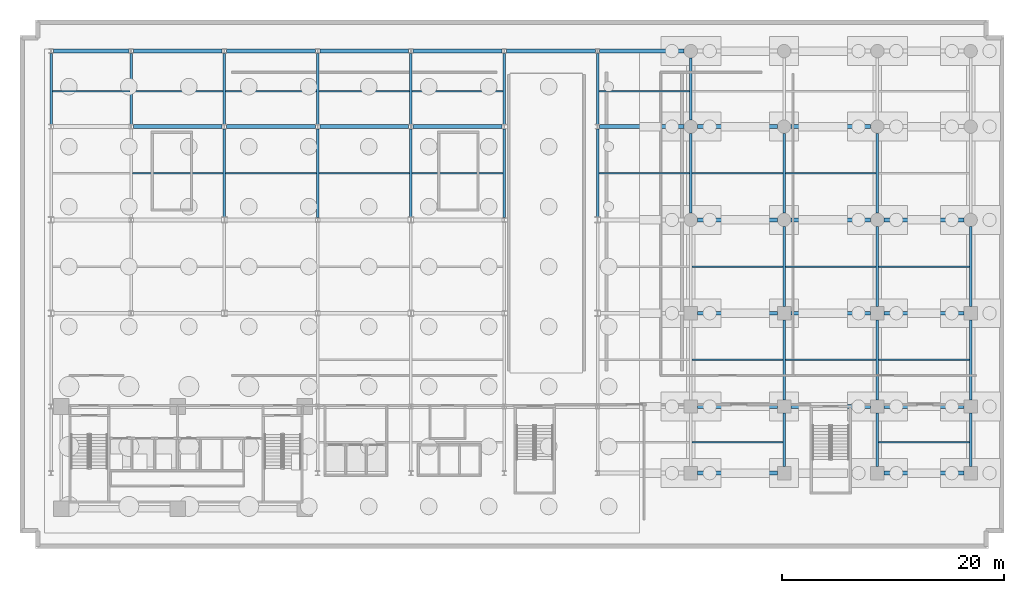
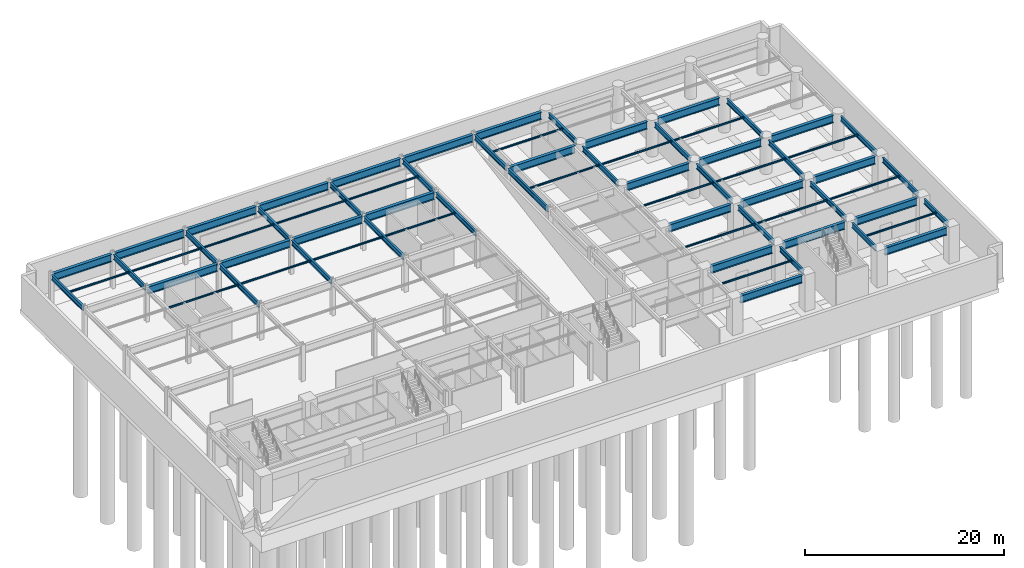
# One storey, part 6 of 14: 71 beams.
"""IFC4 building model written with IfcOpenShell, lengths in metres."""

from ifc_helpers import new_model, si_unit, direction, frame, origin, origin_2d, place, context, subcontext, project, spatial, i_section, extrude, material, material_profile, profile_set, type_object, element, save


model = new_model("IFC4")

# Units and contexts
model_context = context("Model", 3, precision=1e-05, world=origin(), true_north=direction((0.0, 1.0)))
body_context = subcontext(model_context, "Body", "Model", "MODEL_VIEW")
ifc_project = project(units=[si_unit("LENGTHUNIT", "METRE"), si_unit("AREAUNIT", "SQUARE_METRE"), si_unit("VOLUMEUNIT", "CUBIC_METRE"), si_unit("PLANEANGLEUNIT", "RADIAN"), si_unit("MASSUNIT", "GRAM", prefix="KILO")], contexts=[model_context])

# Site, building, storey
site_placement = place(None, origin())
site = spatial("IfcSite", under=ifc_project, at=site_placement, CompositionType="ELEMENT")
building_placement = place(site_placement, origin())
building = spatial("IfcBuilding", under=site, at=building_placement, Name="Varnakote Quay Hospital", CompositionType="ELEMENT")
storey_placement = place(building_placement, frame((0.0, 0.0, -9.0)))
storey = spatial("IfcBuildingStorey", under=building, at=storey_placement, Name="B02", CompositionType="ELEMENT", Elevation=-9.0)

# Beams
ifc_material_1 = material(Name="Structural steel AS/NZS 3679.1 Grade 350 L0 (fy 340 MPa)", Category="steel")
ifc_material_profile_1 = material_profile(ifc_material_1, i_section(OverallWidth=0.22802734375, OverallDepth=0.60205078125, WebThickness=0.010498046875, FlangeThickness=0.014892578125, FilletRadius=0.013916015625, at=origin_2d()), Name="610UB101")
ifc_profile_set_1 = profile_set([ifc_material_profile_1], Name="Structural steel AS/NZS 3679.1 Grade 350 L0 (fy 340 MPa)")
beam_type_1 = type_object("IfcBeamType", Name="BM-STL-610UB101", PredefinedType="BEAM", material=ifc_profile_set_1)
for number, where, z_axis, x_axis, name in (
    (1, (1.199951171875, 37.409912109375, 3.93896484375), (0.0, 1.0, 0.0), (-1.0, 0.0, 0.0), "B02 Primary Tie Beam"),
    (2, (8.39990234375, 37.409912109375, 3.93896484375), (0.0, 1.0, 0.0), (-1.0, 0.0, 0.0), "B02 Primary Tie Beam"),
):
    element("IfcBeam", number, at=place(storey_placement, frame(where, z_axis=z_axis, x_axis=x_axis)), inside=storey, type_object=beam_type_1, Name=name, PredefinedType="BEAM", context=body_context, shape_type="SweptSolid", body=[
        extrude(i_section(OverallWidth=0.22802734375, OverallDepth=0.60205078125, WebThickness=0.010498046875, FlangeThickness=0.014892578125, FilletRadius=0.013916015625, at=origin_2d()), origin(), (0.0, 0.0, 1.0), 6.380126953125),
    ])
beam_1_placement = place(storey_placement, frame((16.800048828125, 29.06494140625, 3.93896484375), z_axis=(0.0, 1.0, 0.0), x_axis=(-1.0, 0.0, 0.0)))
element("IfcBeam", 3, at=beam_1_placement, inside=storey, type_object=beam_type_1, Name="B02 Primary Tie Beam", PredefinedType="BEAM", context=body_context, shape_type="SweptSolid", body=[
    extrude(i_section(OverallWidth=0.22802734375, OverallDepth=0.60205078125, WebThickness=0.010498046875, FlangeThickness=0.014892578125, FilletRadius=0.013916015625, at=origin_2d()), origin(), (0.0, 0.0, 1.0), 7.925048828125),
])
beam_2_placement = place(storey_placement, frame((16.800048828125, 37.409912109375, 3.93896484375), z_axis=(0.0, 1.0, 0.0), x_axis=(-1.0, 0.0, 0.0)))
element("IfcBeam", 4, at=beam_2_placement, inside=storey, type_object=beam_type_1, Name="B02 Primary Tie Beam", PredefinedType="BEAM", context=body_context, shape_type="SweptSolid", body=[
    extrude(i_section(OverallWidth=0.22802734375, OverallDepth=0.60205078125, WebThickness=0.010498046875, FlangeThickness=0.014892578125, FilletRadius=0.013916015625, at=origin_2d()), origin(), (0.0, 0.0, 1.0), 6.380126953125),
])
beam_3_placement = place(storey_placement, frame((25.199951171875, 29.010009765625, 3.93896484375), z_axis=(0.0, 1.0, 0.0), x_axis=(-1.0, 0.0, 0.0)))
element("IfcBeam", 5, at=beam_3_placement, inside=storey, type_object=beam_type_1, Name="B02 Primary Tie Beam", PredefinedType="BEAM", context=body_context, shape_type="SweptSolid", body=[
    extrude(i_section(OverallWidth=0.22802734375, OverallDepth=0.60205078125, WebThickness=0.010498046875, FlangeThickness=0.014892578125, FilletRadius=0.013916015625, at=origin_2d()), origin(), (0.0, 0.0, 1.0), 7.97998046875),
])
beam_4_placement = place(storey_placement, frame((25.199951171875, 37.409912109375, 3.93896484375), z_axis=(0.0, 1.0, 0.0), x_axis=(-1.0, 0.0, 0.0)))
element("IfcBeam", 6, at=beam_4_placement, inside=storey, type_object=beam_type_1, Name="B02 Primary Tie Beam", PredefinedType="BEAM", context=body_context, shape_type="SweptSolid", body=[
    extrude(i_section(OverallWidth=0.22802734375, OverallDepth=0.60205078125, WebThickness=0.010498046875, FlangeThickness=0.014892578125, FilletRadius=0.013916015625, at=origin_2d()), origin(), (0.0, 0.0, 1.0), 6.380126953125),
])
beam_5_placement = place(storey_placement, frame((33.60009765625, 29.06494140625, 3.93896484375), z_axis=(0.0, 1.0, 0.0), x_axis=(-1.0, 0.0, 0.0)))
element("IfcBeam", 7, at=beam_5_placement, inside=storey, type_object=beam_type_1, Name="B02 Primary Tie Beam", PredefinedType="BEAM", context=body_context, shape_type="SweptSolid", body=[
    extrude(i_section(OverallWidth=0.22802734375, OverallDepth=0.60205078125, WebThickness=0.010498046875, FlangeThickness=0.014892578125, FilletRadius=0.013916015625, at=origin_2d()), origin(), (0.0, 0.0, 1.0), 7.925048828125),
])
beam_6_placement = place(storey_placement, frame((33.60009765625, 37.409912109375, 3.93896484375), z_axis=(0.0, 1.0, 0.0), x_axis=(-1.0, 0.0, 0.0)))
element("IfcBeam", 8, at=beam_6_placement, inside=storey, type_object=beam_type_1, Name="B02 Primary Tie Beam", PredefinedType="BEAM", context=body_context, shape_type="SweptSolid", body=[
    extrude(i_section(OverallWidth=0.22802734375, OverallDepth=0.60205078125, WebThickness=0.010498046875, FlangeThickness=0.014892578125, FilletRadius=0.013916015625, at=origin_2d()), origin(), (0.0, 0.0, 1.0), 6.380126953125),
])
beam_7_placement = place(storey_placement, frame((42.0, 29.010009765625, 3.93896484375), z_axis=(0.0, 1.0, 0.0), x_axis=(-1.0, 0.0, 0.0)))
element("IfcBeam", 9, at=beam_7_placement, inside=storey, type_object=beam_type_1, Name="B02 Primary Tie Beam", PredefinedType="BEAM", context=body_context, shape_type="SweptSolid", body=[
    extrude(i_section(OverallWidth=0.22802734375, OverallDepth=0.60205078125, WebThickness=0.010498046875, FlangeThickness=0.014892578125, FilletRadius=0.013916015625, at=origin_2d()), origin(), (0.0, 0.0, 1.0), 7.97998046875),
])
beam_8_placement = place(storey_placement, frame((42.0, 37.409912109375, 3.93896484375), z_axis=(0.0, 1.0, 0.0), x_axis=(-1.0, 0.0, 0.0)))
element("IfcBeam", 10, at=beam_8_placement, inside=storey, type_object=beam_type_1, Name="B02 Primary Tie Beam", PredefinedType="BEAM", context=body_context, shape_type="SweptSolid", body=[
    extrude(i_section(OverallWidth=0.22802734375, OverallDepth=0.60205078125, WebThickness=0.010498046875, FlangeThickness=0.014892578125, FilletRadius=0.013916015625, at=origin_2d()), origin(), (0.0, 0.0, 1.0), 6.380126953125),
])
beam_9_placement = place(storey_placement, frame((50.39990234375, 29.06494140625, 3.93896484375), z_axis=(0.0, 1.0, 0.0), x_axis=(-1.0, 0.0, 0.0)))
element("IfcBeam", 11, at=beam_9_placement, inside=storey, type_object=beam_type_1, Name="B02 Primary Tie Beam", PredefinedType="BEAM", context=body_context, shape_type="SweptSolid", body=[
    extrude(i_section(OverallWidth=0.22802734375, OverallDepth=0.60205078125, WebThickness=0.010498046875, FlangeThickness=0.014892578125, FilletRadius=0.013916015625, at=origin_2d()), origin(), (0.0, 0.0, 1.0), 7.925048828125),
])
beam_10_placement = place(storey_placement, frame((50.39990234375, 37.409912109375, 3.93896484375), z_axis=(0.0, 1.0, 0.0), x_axis=(-1.0, 0.0, 0.0)))
element("IfcBeam", 12, at=beam_10_placement, inside=storey, type_object=beam_type_1, Name="B02 Primary Tie Beam", PredefinedType="BEAM", context=body_context, shape_type="SweptSolid", body=[
    extrude(i_section(OverallWidth=0.22802734375, OverallDepth=0.60205078125, WebThickness=0.010498046875, FlangeThickness=0.014892578125, FilletRadius=0.013916015625, at=origin_2d()), origin(), (0.0, 0.0, 1.0), 6.380126953125),
])
beam_11_placement = place(storey_placement, frame((58.800048828125, 29.39990234375, 3.93896484375), z_axis=(0.0, 1.0, 0.0), x_axis=(-1.0, 0.0, 0.0)))
element("IfcBeam", 13, at=beam_11_placement, inside=storey, type_object=beam_type_1, Name="B02 Primary Tie Beam", PredefinedType="BEAM", context=body_context, shape_type="SweptSolid", body=[
    extrude(i_section(OverallWidth=0.22802734375, OverallDepth=0.60205078125, WebThickness=0.010498046875, FlangeThickness=0.014892578125, FilletRadius=0.013916015625, at=origin_2d()), origin(), (0.0, 0.0, 1.0), 7.2001953125),
])
beam_12_placement = place(storey_placement, frame((58.800048828125, 37.800048828125, 3.93896484375), z_axis=(0.0, 1.0, 0.0), x_axis=(-1.0, 0.0, 0.0)))
element("IfcBeam", 14, at=beam_12_placement, inside=storey, type_object=beam_type_1, Name="B02 Primary Tie Beam", PredefinedType="BEAM", context=body_context, shape_type="SweptSolid", body=[
    extrude(i_section(OverallWidth=0.22802734375, OverallDepth=0.60205078125, WebThickness=0.010498046875, FlangeThickness=0.014892578125, FilletRadius=0.013916015625, at=origin_2d()), origin(), (0.0, 0.0, 1.0), 5.599853515625),
])
beam_13_placement = place(storey_placement, frame((67.199951171875, 6.60009765625, 3.93896484375), z_axis=(0.0, 1.0, 0.0), x_axis=(-1.0, 0.0, 0.0)))
element("IfcBeam", 15, at=beam_13_placement, inside=storey, type_object=beam_type_1, Name="B02 Primary Tie Beam", PredefinedType="BEAM", context=body_context, shape_type="SweptSolid", body=[
    extrude(i_section(OverallWidth=0.22802734375, OverallDepth=0.60205078125, WebThickness=0.010498046875, FlangeThickness=0.014892578125, FilletRadius=0.013916015625, at=origin_2d()), origin(), (0.0, 0.0, 1.0), 4.7998046875),
])
for number, where, z_axis, x_axis, name in (
    (16, (67.199951171875, 12.60009765625, 3.93896484375), (0.0, 1.0, 0.0), (-1.0, 0.0, 0.0), "B02 Primary Tie Beam"),
    (17, (67.199951171875, 21.0, 3.93896484375), (0.0, 1.0, 0.0), (-1.0, 0.0, 0.0), "B02 Primary Tie Beam"),
):
    element("IfcBeam", number, at=place(storey_placement, frame(where, z_axis=z_axis, x_axis=x_axis)), inside=storey, type_object=beam_type_1, Name=name, PredefinedType="BEAM", context=body_context, shape_type="SweptSolid", body=[
        extrude(i_section(OverallWidth=0.22802734375, OverallDepth=0.60205078125, WebThickness=0.010498046875, FlangeThickness=0.014892578125, FilletRadius=0.013916015625, at=origin_2d()), origin(), (0.0, 0.0, 1.0), 7.199951171875),
    ])
beam_14_placement = place(storey_placement, frame((67.199951171875, 29.39990234375, 3.93896484375), z_axis=(0.0, 1.0, 0.0), x_axis=(-1.0, 0.0, 0.0)))
element("IfcBeam", 18, at=beam_14_placement, inside=storey, type_object=beam_type_1, Name="B02 Primary Tie Beam", PredefinedType="BEAM", context=body_context, shape_type="SweptSolid", body=[
    extrude(i_section(OverallWidth=0.22802734375, OverallDepth=0.60205078125, WebThickness=0.010498046875, FlangeThickness=0.014892578125, FilletRadius=0.013916015625, at=origin_2d()), origin(), (0.0, 0.0, 1.0), 7.2001953125),
])
beam_15_placement = place(storey_placement, frame((75.60009765625, 6.60009765625, 3.93896484375), z_axis=(0.0, 1.0, 0.0), x_axis=(-1.0, 0.0, 0.0)))
element("IfcBeam", 19, at=beam_15_placement, inside=storey, type_object=beam_type_1, Name="B02 Primary Tie Beam", PredefinedType="BEAM", context=body_context, shape_type="SweptSolid", body=[
    extrude(i_section(OverallWidth=0.22802734375, OverallDepth=0.60205078125, WebThickness=0.010498046875, FlangeThickness=0.014892578125, FilletRadius=0.013916015625, at=origin_2d()), origin(), (0.0, 0.0, 1.0), 4.7998046875),
])
for number, where, z_axis, x_axis, name in (
    (20, (75.60009765625, 12.60009765625, 3.93896484375), (0.0, 1.0, 0.0), (-1.0, 0.0, 0.0), "B02 Primary Tie Beam"),
    (21, (75.60009765625, 21.0, 3.93896484375), (0.0, 1.0, 0.0), (-1.0, 0.0, 0.0), "B02 Primary Tie Beam"),
):
    element("IfcBeam", number, at=place(storey_placement, frame(where, z_axis=z_axis, x_axis=x_axis)), inside=storey, type_object=beam_type_1, Name=name, PredefinedType="BEAM", context=body_context, shape_type="SweptSolid", body=[
        extrude(i_section(OverallWidth=0.22802734375, OverallDepth=0.60205078125, WebThickness=0.010498046875, FlangeThickness=0.014892578125, FilletRadius=0.013916015625, at=origin_2d()), origin(), (0.0, 0.0, 1.0), 7.199951171875),
    ])
beam_16_placement = place(storey_placement, frame((75.60009765625, 29.39990234375, 3.93896484375), z_axis=(0.0, 1.0, 0.0), x_axis=(-1.0, 0.0, 0.0)))
element("IfcBeam", 22, at=beam_16_placement, inside=storey, type_object=beam_type_1, Name="B02 Primary Tie Beam", PredefinedType="BEAM", context=body_context, shape_type="SweptSolid", body=[
    extrude(i_section(OverallWidth=0.22802734375, OverallDepth=0.60205078125, WebThickness=0.010498046875, FlangeThickness=0.014892578125, FilletRadius=0.013916015625, at=origin_2d()), origin(), (0.0, 0.0, 1.0), 7.2001953125),
])
beam_17_placement = place(storey_placement, frame((84.0, 6.60009765625, 3.93896484375), z_axis=(0.0, 1.0, 0.0), x_axis=(-1.0, 0.0, 0.0)))
element("IfcBeam", 23, at=beam_17_placement, inside=storey, type_object=beam_type_1, Name="B02 Primary Tie Beam", PredefinedType="BEAM", context=body_context, shape_type="SweptSolid", body=[
    extrude(i_section(OverallWidth=0.22802734375, OverallDepth=0.60205078125, WebThickness=0.010498046875, FlangeThickness=0.014892578125, FilletRadius=0.013916015625, at=origin_2d()), origin(), (0.0, 0.0, 1.0), 4.7998046875),
])
for number, where, z_axis, x_axis, name in (
    (24, (84.0, 12.60009765625, 3.93896484375), (0.0, 1.0, 0.0), (-1.0, 0.0, 0.0), "B02 Primary Tie Beam"),
    (25, (84.0, 21.0, 3.93896484375), (0.0, 1.0, 0.0), (-1.0, 0.0, 0.0), "B02 Primary Tie Beam"),
):
    element("IfcBeam", number, at=place(storey_placement, frame(where, z_axis=z_axis, x_axis=x_axis)), inside=storey, type_object=beam_type_1, Name=name, PredefinedType="BEAM", context=body_context, shape_type="SweptSolid", body=[
        extrude(i_section(OverallWidth=0.22802734375, OverallDepth=0.60205078125, WebThickness=0.010498046875, FlangeThickness=0.014892578125, FilletRadius=0.013916015625, at=origin_2d()), origin(), (0.0, 0.0, 1.0), 7.199951171875),
    ])
ifc_material_2 = material(Name="Structural steel AS/NZS 3678 Grade 350 (fy 340 MPa)", Category="steel")
ifc_material_profile_2 = material_profile(ifc_material_2, i_section(OverallWidth=0.35009765625, OverallDepth=0.909912109375, WebThickness=0.011962890625, FlangeThickness=0.02490234375, at=origin_2d()), Name="900WB218")
ifc_profile_set_2 = profile_set([ifc_material_profile_2], Name="Structural steel AS/NZS 3678 Grade 350 (fy 340 MPa)")
beam_type_2 = type_object("IfcBeamType", Name="BM-STL-900WB218", PredefinedType="BEAM", material=ifc_profile_set_2)
beam_18_placement = place(storey_placement, frame((59.39990234375, 6.0, 3.784912109375), z_axis=(1.0, 0.0, 0.0), x_axis=(0.0, 1.0, 0.0)))
element("IfcBeam", 26, at=beam_18_placement, inside=storey, type_object=beam_type_2, Name="B02 Primary Floor Beam", PredefinedType="BEAM", context=body_context, shape_type="SweptSolid", body=[
    extrude(i_section(OverallWidth=0.35009765625, OverallDepth=0.909912109375, WebThickness=0.011962890625, FlangeThickness=0.02490234375, at=origin_2d()), origin(), (0.0, 0.0, 1.0), 7.2001953125),
])
beam_19_placement = place(storey_placement, frame((76.199951171875, 6.0, 3.784912109375), z_axis=(1.0, 0.0, 0.0), x_axis=(0.0, 1.0, 0.0)))
element("IfcBeam", 27, at=beam_19_placement, inside=storey, type_object=beam_type_2, Name="B02 Primary Floor Beam", PredefinedType="BEAM", context=body_context, shape_type="SweptSolid", body=[
    extrude(i_section(OverallWidth=0.35009765625, OverallDepth=0.909912109375, WebThickness=0.011962890625, FlangeThickness=0.02490234375, at=origin_2d()), origin(), (0.0, 0.0, 1.0), 7.199951171875),
])
beam_20_placement = place(storey_placement, frame((59.39990234375, 12.0, 3.784912109375), z_axis=(1.0, 0.0, 0.0), x_axis=(0.0, 1.0, 0.0)))
element("IfcBeam", 28, at=beam_20_placement, inside=storey, type_object=beam_type_2, Name="B02 Primary Floor Beam", PredefinedType="BEAM", context=body_context, shape_type="SweptSolid", body=[
    extrude(i_section(OverallWidth=0.35009765625, OverallDepth=0.909912109375, WebThickness=0.011962890625, FlangeThickness=0.02490234375, at=origin_2d()), origin(), (0.0, 0.0, 1.0), 7.2001953125),
])
for number, where, z_axis, x_axis, name in (
    (29, (67.800048828125, 12.0, 3.784912109375), (1.0, 0.0, 0.0), (0.0, 1.0, 0.0), "B02 Primary Floor Beam"),
    (30, (76.199951171875, 12.0, 3.784912109375), (1.0, 0.0, 0.0), (0.0, 1.0, 0.0), "B02 Primary Floor Beam"),
):
    element("IfcBeam", number, at=place(storey_placement, frame(where, z_axis=z_axis, x_axis=x_axis)), inside=storey, type_object=beam_type_2, Name=name, PredefinedType="BEAM", context=body_context, shape_type="SweptSolid", body=[
        extrude(i_section(OverallWidth=0.35009765625, OverallDepth=0.909912109375, WebThickness=0.011962890625, FlangeThickness=0.02490234375, at=origin_2d()), origin(), (0.0, 0.0, 1.0), 7.199951171875),
    ])
beam_21_placement = place(storey_placement, frame((59.39990234375, 20.39990234375, 3.784912109375), z_axis=(1.0, 0.0, 0.0), x_axis=(0.0, 1.0, 0.0)))
element("IfcBeam", 31, at=beam_21_placement, inside=storey, type_object=beam_type_2, Name="B02 Primary Floor Beam", PredefinedType="BEAM", context=body_context, shape_type="SweptSolid", body=[
    extrude(i_section(OverallWidth=0.35009765625, OverallDepth=0.909912109375, WebThickness=0.011962890625, FlangeThickness=0.02490234375, at=origin_2d()), origin(), (0.0, 0.0, 1.0), 7.2001953125),
])
for number, where, z_axis, x_axis, name in (
    (32, (67.800048828125, 20.39990234375, 3.784912109375), (1.0, 0.0, 0.0), (0.0, 1.0, 0.0), "B02 Primary Floor Beam"),
    (33, (76.199951171875, 20.39990234375, 3.784912109375), (1.0, 0.0, 0.0), (0.0, 1.0, 0.0), "B02 Primary Floor Beam"),
):
    element("IfcBeam", number, at=place(storey_placement, frame(where, z_axis=z_axis, x_axis=x_axis)), inside=storey, type_object=beam_type_2, Name=name, PredefinedType="BEAM", context=body_context, shape_type="SweptSolid", body=[
        extrude(i_section(OverallWidth=0.35009765625, OverallDepth=0.909912109375, WebThickness=0.011962890625, FlangeThickness=0.02490234375, at=origin_2d()), origin(), (0.0, 0.0, 1.0), 7.199951171875),
    ])
beam_22_placement = place(storey_placement, frame((59.39990234375, 28.800048828125, 3.784912109375), z_axis=(1.0, 0.0, 0.0), x_axis=(0.0, 1.0, 0.0)))
element("IfcBeam", 34, at=beam_22_placement, inside=storey, type_object=beam_type_2, Name="B02 Primary Floor Beam", PredefinedType="BEAM", context=body_context, shape_type="SweptSolid", body=[
    extrude(i_section(OverallWidth=0.35009765625, OverallDepth=0.909912109375, WebThickness=0.011962890625, FlangeThickness=0.02490234375, at=origin_2d()), origin(), (0.0, 0.0, 1.0), 7.2001953125),
])
for number, where, z_axis, x_axis, name in (
    (35, (67.800048828125, 28.800048828125, 3.784912109375), (1.0, 0.0, 0.0), (0.0, 1.0, 0.0), "B02 Primary Floor Beam"),
    (36, (76.199951171875, 28.800048828125, 3.784912109375), (1.0, 0.0, 0.0), (0.0, 1.0, 0.0), "B02 Primary Floor Beam"),
):
    element("IfcBeam", number, at=place(storey_placement, frame(where, z_axis=z_axis, x_axis=x_axis)), inside=storey, type_object=beam_type_2, Name=name, PredefinedType="BEAM", context=body_context, shape_type="SweptSolid", body=[
        extrude(i_section(OverallWidth=0.35009765625, OverallDepth=0.909912109375, WebThickness=0.011962890625, FlangeThickness=0.02490234375, at=origin_2d()), origin(), (0.0, 0.0, 1.0), 7.199951171875),
    ])
for number, where, z_axis, x_axis, name in (
    (37, (8.60009765625, 37.199951171875, 3.784912109375), (1.0, 0.0, 0.0), (0.0, 1.0, 0.0), "B02 Primary Floor Beam"),
    (38, (17.0, 37.199951171875, 3.784912109375), (1.0, 0.0, 0.0), (0.0, 1.0, 0.0), "B02 Primary Floor Beam"),
    (39, (25.39990234375, 37.199951171875, 3.784912109375), (1.0, 0.0, 0.0), (0.0, 1.0, 0.0), "B02 Primary Floor Beam"),
    (40, (33.800048828125, 37.199951171875, 3.784912109375), (1.0, 0.0, 0.0), (0.0, 1.0, 0.0), "B02 Primary Floor Beam"),
):
    element("IfcBeam", number, at=place(storey_placement, frame(where, z_axis=z_axis, x_axis=x_axis)), inside=storey, type_object=beam_type_2, Name=name, PredefinedType="BEAM", context=body_context, shape_type="SweptSolid", body=[
        extrude(i_section(OverallWidth=0.35009765625, OverallDepth=0.909912109375, WebThickness=0.011962890625, FlangeThickness=0.02490234375, at=origin_2d()), origin(), (0.0, 0.0, 1.0), 8.0),
    ])
beam_23_placement = place(storey_placement, frame((50.60009765625, 37.199951171875, 3.784912109375), z_axis=(1.0, 0.0, 0.0), x_axis=(0.0, 1.0, 0.0)))
element("IfcBeam", 41, at=beam_23_placement, inside=storey, type_object=beam_type_2, Name="B02 Primary Floor Beam", PredefinedType="BEAM", context=body_context, shape_type="SweptSolid", body=[
    extrude(i_section(OverallWidth=0.35009765625, OverallDepth=0.909912109375, WebThickness=0.011962890625, FlangeThickness=0.02490234375, at=origin_2d()), origin(), (0.0, 0.0, 1.0), 7.599853515625),
])
beam_24_placement = place(storey_placement, frame((59.39990234375, 37.199951171875, 3.784912109375), z_axis=(1.0, 0.0, 0.0), x_axis=(0.0, 1.0, 0.0)))
element("IfcBeam", 42, at=beam_24_placement, inside=storey, type_object=beam_type_2, Name="B02 Primary Floor Beam", PredefinedType="BEAM", context=body_context, shape_type="SweptSolid", body=[
    extrude(i_section(OverallWidth=0.35009765625, OverallDepth=0.909912109375, WebThickness=0.011962890625, FlangeThickness=0.02490234375, at=origin_2d()), origin(), (0.0, 0.0, 1.0), 7.2001953125),
])
beam_25_placement = place(storey_placement, frame((67.800048828125, 37.199951171875, 3.784912109375), z_axis=(1.0, 0.0, 0.0), x_axis=(0.0, 1.0, 0.0)))
element("IfcBeam", 43, at=beam_25_placement, inside=storey, type_object=beam_type_2, Name="B02 Primary Floor Beam", PredefinedType="BEAM", context=body_context, shape_type="SweptSolid", body=[
    extrude(i_section(OverallWidth=0.35009765625, OverallDepth=0.909912109375, WebThickness=0.011962890625, FlangeThickness=0.02490234375, at=origin_2d()), origin(), (0.0, 0.0, 1.0), 7.199951171875),
])
beam_26_placement = place(storey_placement, frame((1.39990234375, 44.0, 3.784912109375), z_axis=(1.0, 0.0, 0.0), x_axis=(0.0, 1.0, 0.0)))
element("IfcBeam", 44, at=beam_26_placement, inside=storey, type_object=beam_type_2, Name="B02 Primary Floor Beam", PredefinedType="BEAM", context=body_context, shape_type="SweptSolid", body=[
    extrude(i_section(OverallWidth=0.35009765625, OverallDepth=0.909912109375, WebThickness=0.011962890625, FlangeThickness=0.02490234375, at=origin_2d()), origin(), (0.0, 0.0, 1.0), 6.800048828125),
])
for number, where, z_axis, x_axis, name in (
    (45, (8.60009765625, 44.0, 3.784912109375), (1.0, 0.0, 0.0), (0.0, 1.0, 0.0), "B02 Primary Floor Beam"),
    (46, (17.0, 44.0, 3.784912109375), (1.0, 0.0, 0.0), (0.0, 1.0, 0.0), "B02 Primary Floor Beam"),
    (47, (25.39990234375, 44.0, 3.784912109375), (1.0, 0.0, 0.0), (0.0, 1.0, 0.0), "B02 Primary Floor Beam"),
    (48, (33.800048828125, 44.0, 3.784912109375), (1.0, 0.0, 0.0), (0.0, 1.0, 0.0), "B02 Primary Floor Beam"),
    (49, (42.199951171875, 44.0, 3.784912109375), (1.0, 0.0, 0.0), (0.0, 1.0, 0.0), "B02 Primary Floor Beam"),
):
    element("IfcBeam", number, at=place(storey_placement, frame(where, z_axis=z_axis, x_axis=x_axis)), inside=storey, type_object=beam_type_2, Name=name, PredefinedType="BEAM", context=body_context, shape_type="SweptSolid", body=[
        extrude(i_section(OverallWidth=0.35009765625, OverallDepth=0.909912109375, WebThickness=0.011962890625, FlangeThickness=0.02490234375, at=origin_2d()), origin(), (0.0, 0.0, 1.0), 8.0),
    ])
beam_27_placement = place(storey_placement, frame((50.60009765625, 44.0, 3.784912109375), z_axis=(1.0, 0.0, 0.0), x_axis=(0.0, 1.0, 0.0)))
element("IfcBeam", 50, at=beam_27_placement, inside=storey, type_object=beam_type_2, Name="B02 Primary Floor Beam", PredefinedType="BEAM", context=body_context, shape_type="SweptSolid", body=[
    extrude(i_section(OverallWidth=0.35009765625, OverallDepth=0.909912109375, WebThickness=0.011962890625, FlangeThickness=0.02490234375, at=origin_2d()), origin(), (0.0, 0.0, 1.0), 7.599853515625),
])
ifc_material_3 = material(Name="Structural steel AS/NZS 3679.1 Grade 350 L0 (fy 340 MPa)", Category="steel")
ifc_material_profile_3 = material_profile(ifc_material_3, i_section(OverallWidth=0.134033203125, OverallDepth=0.20703125, WebThickness=0.00634765625, FlangeThickness=0.009521484375, FilletRadius=0.0087890625, at=origin_2d()), Name="200UB29.8")
ifc_profile_set_3 = profile_set([ifc_material_profile_3], Name="Structural steel AS/NZS 3679.1 Grade 350 L0 (fy 340 MPa)")
beam_type_3 = type_object("IfcBeamType", Name="JST-STL-200UB29-8", PredefinedType="JOIST", material=ifc_profile_set_3)
for number, where, z_axis, x_axis, name in (
    (51, (58.9140625, 8.800048828125, 4.136474609375), (1.0, 0.0, 0.0), (0.0, 1.0, 0.0), "B02 Composite Floor Joist"),
    (52, (75.714111328125, 8.800048828125, 4.136474609375), (1.0, 0.0, 0.0), (0.0, 1.0, 0.0), "B02 Composite Floor Joist"),
    (53, (58.9140625, 16.199951171875, 4.136474609375), (1.0, 0.0, 0.0), (0.0, 1.0, 0.0), "B02 Composite Floor Joist"),
):
    element("IfcBeam", number, at=place(storey_placement, frame(where, z_axis=z_axis, x_axis=x_axis)), inside=storey, type_object=beam_type_3, Name=name, PredefinedType="JOIST", context=body_context, shape_type="SweptSolid", body=[
        extrude(i_section(OverallWidth=0.134033203125, OverallDepth=0.20703125, WebThickness=0.00634765625, FlangeThickness=0.009521484375, FilletRadius=0.0087890625, at=origin_2d()), origin(), (0.0, 0.0, 1.0), 8.171875),
    ])
beam_28_placement = place(storey_placement, frame((67.31396484375, 16.199951171875, 4.136474609375), z_axis=(1.0, 0.0, 0.0), x_axis=(0.0, 1.0, 0.0)))
element("IfcBeam", 54, at=beam_28_placement, inside=storey, type_object=beam_type_3, Name="B02 Composite Floor Joist", PredefinedType="JOIST", context=body_context, shape_type="SweptSolid", body=[
    extrude(i_section(OverallWidth=0.134033203125, OverallDepth=0.20703125, WebThickness=0.00634765625, FlangeThickness=0.009521484375, FilletRadius=0.0087890625, at=origin_2d()), origin(), (0.0, 0.0, 1.0), 8.172119140625),
])
for number, where, z_axis, x_axis, name in (
    (55, (75.714111328125, 16.199951171875, 4.136474609375), (1.0, 0.0, 0.0), (0.0, 1.0, 0.0), "B02 Composite Floor Joist"),
    (56, (58.9140625, 24.60009765625, 4.136474609375), (1.0, 0.0, 0.0), (0.0, 1.0, 0.0), "B02 Composite Floor Joist"),
):
    element("IfcBeam", number, at=place(storey_placement, frame(where, z_axis=z_axis, x_axis=x_axis)), inside=storey, type_object=beam_type_3, Name=name, PredefinedType="JOIST", context=body_context, shape_type="SweptSolid", body=[
        extrude(i_section(OverallWidth=0.134033203125, OverallDepth=0.20703125, WebThickness=0.00634765625, FlangeThickness=0.009521484375, FilletRadius=0.0087890625, at=origin_2d()), origin(), (0.0, 0.0, 1.0), 8.171875),
    ])
beam_29_placement = place(storey_placement, frame((67.31396484375, 24.60009765625, 4.136474609375), z_axis=(1.0, 0.0, 0.0), x_axis=(0.0, 1.0, 0.0)))
element("IfcBeam", 57, at=beam_29_placement, inside=storey, type_object=beam_type_3, Name="B02 Composite Floor Joist", PredefinedType="JOIST", context=body_context, shape_type="SweptSolid", body=[
    extrude(i_section(OverallWidth=0.134033203125, OverallDepth=0.20703125, WebThickness=0.00634765625, FlangeThickness=0.009521484375, FilletRadius=0.0087890625, at=origin_2d()), origin(), (0.0, 0.0, 1.0), 8.172119140625),
])
beam_30_placement = place(storey_placement, frame((75.714111328125, 24.60009765625, 4.136474609375), z_axis=(1.0, 0.0, 0.0), x_axis=(0.0, 1.0, 0.0)))
element("IfcBeam", 58, at=beam_30_placement, inside=storey, type_object=beam_type_3, Name="B02 Composite Floor Joist", PredefinedType="JOIST", context=body_context, shape_type="SweptSolid", body=[
    extrude(i_section(OverallWidth=0.134033203125, OverallDepth=0.20703125, WebThickness=0.00634765625, FlangeThickness=0.009521484375, FilletRadius=0.0087890625, at=origin_2d()), origin(), (0.0, 0.0, 1.0), 8.171875),
])
beam_31_placement = place(storey_placement, frame((8.513916015625, 33.0, 4.136474609375), z_axis=(1.0, 0.0, 0.0), x_axis=(0.0, 1.0, 0.0)))
element("IfcBeam", 59, at=beam_31_placement, inside=storey, type_object=beam_type_3, Name="B02 Composite Floor Joist", PredefinedType="JOIST", context=body_context, shape_type="SweptSolid", body=[
    extrude(i_section(OverallWidth=0.134033203125, OverallDepth=0.20703125, WebThickness=0.00634765625, FlangeThickness=0.009521484375, FilletRadius=0.0087890625, at=origin_2d()), origin(), (0.0, 0.0, 1.0), 8.172119140625),
])
beam_32_placement = place(storey_placement, frame((16.9140625, 33.0, 4.136474609375), z_axis=(1.0, 0.0, 0.0), x_axis=(0.0, 1.0, 0.0)))
element("IfcBeam", 60, at=beam_32_placement, inside=storey, type_object=beam_type_3, Name="B02 Composite Floor Joist", PredefinedType="JOIST", context=body_context, shape_type="SweptSolid", body=[
    extrude(i_section(OverallWidth=0.134033203125, OverallDepth=0.20703125, WebThickness=0.00634765625, FlangeThickness=0.009521484375, FilletRadius=0.0087890625, at=origin_2d()), origin(), (0.0, 0.0, 1.0), 8.171875),
])
beam_33_placement = place(storey_placement, frame((25.31396484375, 33.0, 4.136474609375), z_axis=(1.0, 0.0, 0.0), x_axis=(0.0, 1.0, 0.0)))
element("IfcBeam", 61, at=beam_33_placement, inside=storey, type_object=beam_type_3, Name="B02 Composite Floor Joist", PredefinedType="JOIST", context=body_context, shape_type="SweptSolid", body=[
    extrude(i_section(OverallWidth=0.134033203125, OverallDepth=0.20703125, WebThickness=0.00634765625, FlangeThickness=0.009521484375, FilletRadius=0.0087890625, at=origin_2d()), origin(), (0.0, 0.0, 1.0), 8.172119140625),
])
beam_34_placement = place(storey_placement, frame((33.714111328125, 33.0, 4.136474609375), z_axis=(1.0, 0.0, 0.0), x_axis=(0.0, 1.0, 0.0)))
element("IfcBeam", 62, at=beam_34_placement, inside=storey, type_object=beam_type_3, Name="B02 Composite Floor Joist", PredefinedType="JOIST", context=body_context, shape_type="SweptSolid", body=[
    extrude(i_section(OverallWidth=0.134033203125, OverallDepth=0.20703125, WebThickness=0.00634765625, FlangeThickness=0.009521484375, FilletRadius=0.0087890625, at=origin_2d()), origin(), (0.0, 0.0, 1.0), 8.171875),
])
beam_35_placement = place(storey_placement, frame((50.513916015625, 33.0, 4.136474609375), z_axis=(1.0, 0.0, 0.0), x_axis=(0.0, 1.0, 0.0)))
element("IfcBeam", 63, at=beam_35_placement, inside=storey, type_object=beam_type_3, Name="B02 Composite Floor Joist", PredefinedType="JOIST", context=body_context, shape_type="SweptSolid", body=[
    extrude(i_section(OverallWidth=0.134033203125, OverallDepth=0.20703125, WebThickness=0.00634765625, FlangeThickness=0.009521484375, FilletRadius=0.0087890625, at=origin_2d()), origin(), (0.0, 0.0, 1.0), 8.172119140625),
])
beam_36_placement = place(storey_placement, frame((58.9140625, 33.0, 4.136474609375), z_axis=(1.0, 0.0, 0.0), x_axis=(0.0, 1.0, 0.0)))
element("IfcBeam", 64, at=beam_36_placement, inside=storey, type_object=beam_type_3, Name="B02 Composite Floor Joist", PredefinedType="JOIST", context=body_context, shape_type="SweptSolid", body=[
    extrude(i_section(OverallWidth=0.134033203125, OverallDepth=0.20703125, WebThickness=0.00634765625, FlangeThickness=0.009521484375, FilletRadius=0.0087890625, at=origin_2d()), origin(), (0.0, 0.0, 1.0), 8.171875),
])
beam_37_placement = place(storey_placement, frame((67.31396484375, 33.0, 4.136474609375), z_axis=(1.0, 0.0, 0.0), x_axis=(0.0, 1.0, 0.0)))
element("IfcBeam", 65, at=beam_37_placement, inside=storey, type_object=beam_type_3, Name="B02 Composite Floor Joist", PredefinedType="JOIST", context=body_context, shape_type="SweptSolid", body=[
    extrude(i_section(OverallWidth=0.134033203125, OverallDepth=0.20703125, WebThickness=0.00634765625, FlangeThickness=0.009521484375, FilletRadius=0.0087890625, at=origin_2d()), origin(), (0.0, 0.0, 1.0), 8.172119140625),
])
beam_38_placement = place(storey_placement, frame((1.31396484375, 40.39990234375, 4.136474609375), z_axis=(1.0, 0.0, 0.0), x_axis=(0.0, 1.0, 0.0)))
element("IfcBeam", 66, at=beam_38_placement, inside=storey, type_object=beam_type_3, Name="B02 Composite Floor Joist", PredefinedType="JOIST", context=body_context, shape_type="SweptSolid", body=[
    extrude(i_section(OverallWidth=0.134033203125, OverallDepth=0.20703125, WebThickness=0.00634765625, FlangeThickness=0.009521484375, FilletRadius=0.0087890625, at=origin_2d()), origin(), (0.0, 0.0, 1.0), 6.971923828125),
])
beam_39_placement = place(storey_placement, frame((8.513916015625, 40.39990234375, 4.136474609375), z_axis=(1.0, 0.0, 0.0), x_axis=(0.0, 1.0, 0.0)))
element("IfcBeam", 67, at=beam_39_placement, inside=storey, type_object=beam_type_3, Name="B02 Composite Floor Joist", PredefinedType="JOIST", context=body_context, shape_type="SweptSolid", body=[
    extrude(i_section(OverallWidth=0.134033203125, OverallDepth=0.20703125, WebThickness=0.00634765625, FlangeThickness=0.009521484375, FilletRadius=0.0087890625, at=origin_2d()), origin(), (0.0, 0.0, 1.0), 8.172119140625),
])
beam_40_placement = place(storey_placement, frame((16.9140625, 40.39990234375, 4.136474609375), z_axis=(1.0, 0.0, 0.0), x_axis=(0.0, 1.0, 0.0)))
element("IfcBeam", 68, at=beam_40_placement, inside=storey, type_object=beam_type_3, Name="B02 Composite Floor Joist", PredefinedType="JOIST", context=body_context, shape_type="SweptSolid", body=[
    extrude(i_section(OverallWidth=0.134033203125, OverallDepth=0.20703125, WebThickness=0.00634765625, FlangeThickness=0.009521484375, FilletRadius=0.0087890625, at=origin_2d()), origin(), (0.0, 0.0, 1.0), 8.171875),
])
beam_41_placement = place(storey_placement, frame((25.31396484375, 40.39990234375, 4.136474609375), z_axis=(1.0, 0.0, 0.0), x_axis=(0.0, 1.0, 0.0)))
element("IfcBeam", 69, at=beam_41_placement, inside=storey, type_object=beam_type_3, Name="B02 Composite Floor Joist", PredefinedType="JOIST", context=body_context, shape_type="SweptSolid", body=[
    extrude(i_section(OverallWidth=0.134033203125, OverallDepth=0.20703125, WebThickness=0.00634765625, FlangeThickness=0.009521484375, FilletRadius=0.0087890625, at=origin_2d()), origin(), (0.0, 0.0, 1.0), 8.172119140625),
])
beam_42_placement = place(storey_placement, frame((33.714111328125, 40.39990234375, 4.136474609375), z_axis=(1.0, 0.0, 0.0), x_axis=(0.0, 1.0, 0.0)))
element("IfcBeam", 70, at=beam_42_placement, inside=storey, type_object=beam_type_3, Name="B02 Composite Floor Joist", PredefinedType="JOIST", context=body_context, shape_type="SweptSolid", body=[
    extrude(i_section(OverallWidth=0.134033203125, OverallDepth=0.20703125, WebThickness=0.00634765625, FlangeThickness=0.009521484375, FilletRadius=0.0087890625, at=origin_2d()), origin(), (0.0, 0.0, 1.0), 8.171875),
])
beam_43_placement = place(storey_placement, frame((50.513916015625, 40.39990234375, 4.136474609375), z_axis=(1.0, 0.0, 0.0), x_axis=(0.0, 1.0, 0.0)))
element("IfcBeam", 71, at=beam_43_placement, inside=storey, type_object=beam_type_3, Name="B02 Composite Floor Joist", PredefinedType="JOIST", context=body_context, shape_type="SweptSolid", body=[
    extrude(i_section(OverallWidth=0.134033203125, OverallDepth=0.20703125, WebThickness=0.00634765625, FlangeThickness=0.009521484375, FilletRadius=0.0087890625, at=origin_2d()), origin(), (0.0, 0.0, 1.0), 8.172119140625),
])

save(model, "model.ifc")
